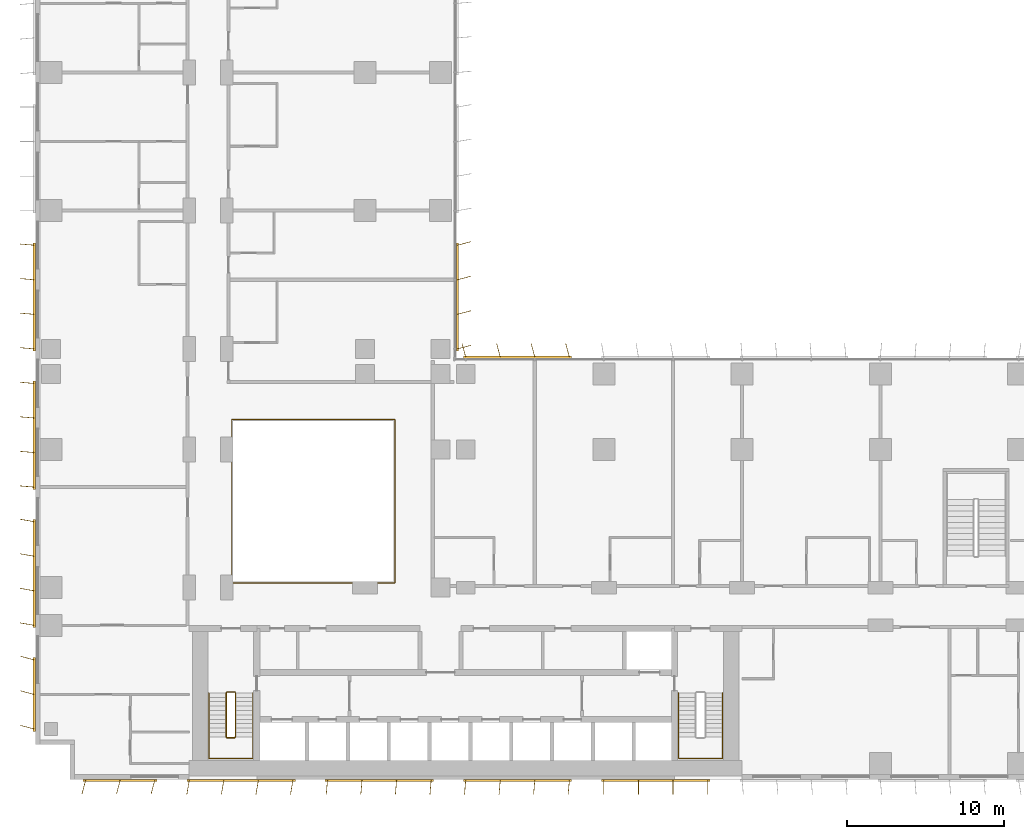
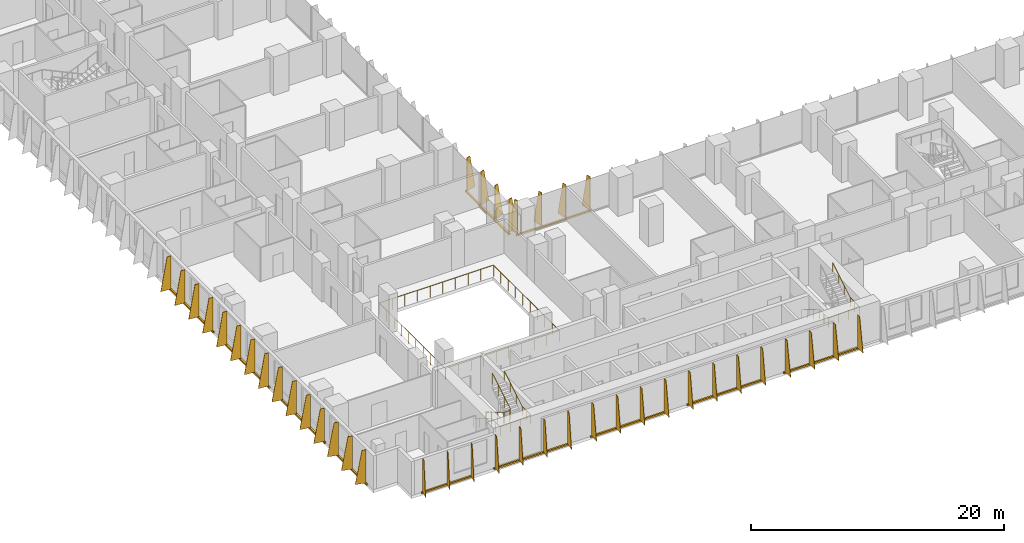
# One storey, part 21 of 24: 11 shading devices, 4 railings.
"""IFC4 building model written with IfcOpenShell, lengths in metres."""

from ifc_helpers import new_model, si_unit, direction, frame, origin, origin_2d, place, context, subcontext, project, spatial, polyline, rectangle, circle, outline, extrude, source, transform, mapped, material, layer, layer_set, type_object, element, save


model = new_model("IFC4")

# Units and contexts
model_context = context("Model", 3, precision=1e-05, world=origin(), true_north=direction((0.0, 1.0)))
body_context = subcontext(model_context, "Body", "Model", "MODEL_VIEW")
ifc_project = project(units=[si_unit("LENGTHUNIT", "METRE"), si_unit("AREAUNIT", "SQUARE_METRE"), si_unit("VOLUMEUNIT", "CUBIC_METRE"), si_unit("PLANEANGLEUNIT", "RADIAN"), si_unit("MASSUNIT", "GRAM", prefix="KILO")], contexts=[model_context])

# Site, building, storey
site_placement = place(None, origin())
site = spatial("IfcSite", under=ifc_project, at=site_placement, CompositionType="ELEMENT")
building_placement = place(site_placement, origin())
building = spatial("IfcBuilding", under=site, at=building_placement, Name="Kemantara Hotel Tower", CompositionType="ELEMENT")
storey_placement = place(building_placement, frame((0.0, 0.0, 79.699951171875)))
storey = spatial("IfcBuildingStorey", under=building, at=storey_placement, Name="L18", CompositionType="ELEMENT", Elevation=79.699951171875)

# Railings
ifc_material_1 = material(Name="Stainless steel and laminated glass balustrade", Category="steel")
railing_type_1 = type_object("IfcRailingType", Name="ATRIUM GUARD 1100", PredefinedType="GUARDRAIL", material=ifc_material_1)
railing_1_placement = place(storey_placement, frame((12.56005859375, 12.5, 0.0)))
element("IfcRailing", 1, at=railing_1_placement, inside=storey, type_object=railing_type_1, Name="ATRIUM GUARD L18", PredefinedType="GUARDRAIL", context=body_context, shape_type="SweptSolid", body=[
    extrude(circle(Radius=0.02490234375, at=origin_2d()), frame((0.0, 0.0, 1.0751953125), z_axis=(1.0, 0.0, 0.0), x_axis=(0.0, 1.0, 0.0)), (0.0, 0.0, 1.0), 10.33984375),
    extrude(circle(Radius=0.02490234375, at=origin_2d()), frame((10.33984375, 0.0, 1.0751953125), z_axis=(0.0, 1.0, 0.0), x_axis=(-1.0, 0.0, 0.0)), (0.0, 0.0, 1.0), 10.39990234375),
    extrude(circle(Radius=0.02490234375, at=origin_2d()), frame((10.33984375, 10.39990234375, 1.0751953125), z_axis=(-1.0, 0.0, 0.0), x_axis=(0.0, -1.0, 0.0)), (0.0, 0.0, 1.0), 10.39990234375),
    extrude(circle(Radius=0.02490234375, at=origin_2d()), frame((-0.06005859375, 10.39990234375, 1.0751953125), z_axis=(0.0, -1.0, 0.0), x_axis=(1.0, 0.0, 0.0)), (0.0, 0.0, 1.0), 10.39990234375),
    extrude(circle(Radius=0.02001953125, at=origin_2d()), origin(), (0.0, 0.0, 1.0), 1.050048828125),
    extrude(circle(Radius=0.02001953125, at=origin_2d()), frame((1.14892578125, 0.0, 0.0)), (0.0, 0.0, 1.0), 1.050048828125),
    extrude(circle(Radius=0.02001953125, at=origin_2d()), frame((2.2978515625, 0.0, 0.0)), (0.0, 0.0, 1.0), 1.050048828125),
    extrude(circle(Radius=0.02001953125, at=origin_2d()), frame((3.446533203125, 0.0, 0.0)), (0.0, 0.0, 1.0), 1.050048828125),
    extrude(circle(Radius=0.02001953125, at=origin_2d()), frame((4.595458984375, 0.0, 0.0)), (0.0, 0.0, 1.0), 1.050048828125),
    extrude(circle(Radius=0.02001953125, at=origin_2d()), frame((5.744384765625, 0.0, 0.0)), (0.0, 0.0, 1.0), 1.050048828125),
    extrude(circle(Radius=0.02001953125, at=origin_2d()), frame((6.893310546875, 0.0, 0.0)), (0.0, 0.0, 1.0), 1.050048828125),
    extrude(circle(Radius=0.02001953125, at=origin_2d()), frame((8.0419921875, 0.0, 0.0)), (0.0, 0.0, 1.0), 1.050048828125),
    extrude(circle(Radius=0.02001953125, at=origin_2d()), frame((9.19091796875, 0.0, 0.0)), (0.0, 0.0, 1.0), 1.050048828125),
    extrude(circle(Radius=0.02001953125, at=origin_2d()), frame((10.33984375, 0.0, 0.0)), (0.0, 0.0, 1.0), 1.050048828125),
    extrude(circle(Radius=0.02001953125, at=origin_2d()), frame((10.33984375, 1.155517578125, 0.0)), (0.0, 0.0, 1.0), 1.050048828125),
    extrude(circle(Radius=0.02001953125, at=origin_2d()), frame((10.33984375, 2.31103515625, 0.0)), (0.0, 0.0, 1.0), 1.050048828125),
    extrude(circle(Radius=0.02001953125, at=origin_2d()), frame((10.33984375, 3.466552734375, 0.0)), (0.0, 0.0, 1.0), 1.050048828125),
    extrude(circle(Radius=0.02001953125, at=origin_2d()), frame((10.33984375, 4.6220703125, 0.0)), (0.0, 0.0, 1.0), 1.050048828125),
    extrude(circle(Radius=0.02001953125, at=origin_2d()), frame((10.33984375, 5.77783203125, 0.0)), (0.0, 0.0, 1.0), 1.050048828125),
    extrude(circle(Radius=0.02001953125, at=origin_2d()), frame((10.33984375, 6.933349609375, 0.0)), (0.0, 0.0, 1.0), 1.050048828125),
    extrude(circle(Radius=0.02001953125, at=origin_2d()), frame((10.33984375, 8.0888671875, 0.0)), (0.0, 0.0, 1.0), 1.050048828125),
    extrude(circle(Radius=0.02001953125, at=origin_2d()), frame((10.33984375, 9.244384765625, 0.0)), (0.0, 0.0, 1.0), 1.050048828125),
    extrude(circle(Radius=0.02001953125, at=origin_2d()), frame((10.33984375, 10.39990234375, 0.0)), (0.0, 0.0, 1.0), 1.050048828125),
    extrude(circle(Radius=0.02001953125, at=origin_2d()), frame((9.184326171875, 10.39990234375, 0.0)), (0.0, 0.0, 1.0), 1.050048828125),
    extrude(circle(Radius=0.02001953125, at=origin_2d()), frame((8.02880859375, 10.39990234375, 0.0)), (0.0, 0.0, 1.0), 1.050048828125),
    extrude(circle(Radius=0.02001953125, at=origin_2d()), frame((6.873291015625, 10.39990234375, 0.0)), (0.0, 0.0, 1.0), 1.050048828125),
    extrude(circle(Radius=0.02001953125, at=origin_2d()), frame((5.7177734375, 10.39990234375, 0.0)), (0.0, 0.0, 1.0), 1.050048828125),
    extrude(circle(Radius=0.02001953125, at=origin_2d()), frame((4.56201171875, 10.39990234375, 0.0)), (0.0, 0.0, 1.0), 1.050048828125),
    extrude(circle(Radius=0.02001953125, at=origin_2d()), frame((3.406494140625, 10.39990234375, 0.0)), (0.0, 0.0, 1.0), 1.050048828125),
    extrude(circle(Radius=0.02001953125, at=origin_2d()), frame((2.2509765625, 10.39990234375, 0.0)), (0.0, 0.0, 1.0), 1.050048828125),
    extrude(circle(Radius=0.02001953125, at=origin_2d()), frame((1.095458984375, 10.39990234375, 0.0)), (0.0, 0.0, 1.0), 1.050048828125),
    extrude(circle(Radius=0.02001953125, at=origin_2d()), frame((-0.06005859375, 10.39990234375, 0.0)), (0.0, 0.0, 1.0), 1.050048828125),
    extrude(circle(Radius=0.02001953125, at=origin_2d()), frame((-0.06005859375, 9.244384765625, 0.0)), (0.0, 0.0, 1.0), 1.050048828125),
    extrude(circle(Radius=0.02001953125, at=origin_2d()), frame((-0.06005859375, 8.0888671875, 0.0)), (0.0, 0.0, 1.0), 1.050048828125),
    extrude(circle(Radius=0.02001953125, at=origin_2d()), frame((-0.06005859375, 6.933349609375, 0.0)), (0.0, 0.0, 1.0), 1.050048828125),
    extrude(circle(Radius=0.02001953125, at=origin_2d()), frame((-0.06005859375, 5.77783203125, 0.0)), (0.0, 0.0, 1.0), 1.050048828125),
    extrude(circle(Radius=0.02001953125, at=origin_2d()), frame((-0.06005859375, 4.6220703125, 0.0)), (0.0, 0.0, 1.0), 1.050048828125),
    extrude(circle(Radius=0.02001953125, at=origin_2d()), frame((-0.06005859375, 3.466552734375, 0.0)), (0.0, 0.0, 1.0), 1.050048828125),
    extrude(circle(Radius=0.02001953125, at=origin_2d()), frame((-0.06005859375, 2.31103515625, 0.0)), (0.0, 0.0, 1.0), 1.050048828125),
    extrude(circle(Radius=0.02001953125, at=origin_2d()), frame((-0.06005859375, 1.155517578125, 0.0)), (0.0, 0.0, 1.0), 1.050048828125),
    extrude(circle(Radius=0.02001953125, at=origin_2d()), frame((-0.06005859375, 0.0, 0.0)), (0.0, 0.0, 1.0), 1.050048828125),
])
ifc_material_2 = material(Name="Stainless steel balustrade", Category="steel")
railing_type_2 = type_object("IfcRailingType", Name="Stair guard 1100 mm", PredefinedType="GUARDRAIL", material=ifc_material_2)
railing_2_placement = place(storey_placement, frame((12.75, 5.5, 3.699951171875)))
element("IfcRailing", 2, at=railing_2_placement, inside=storey, type_object=railing_type_2, Name="L18 ST1 stair guard 1", PredefinedType="GUARDRAIL", context=body_context, shape_type="SweptSolid", body=[
    extrude(circle(Radius=0.02392578125, at=origin_2d()), frame((0.0, 0.0, 1.076171875), z_axis=(0.0, -0.857275202839, -0.514858452973), x_axis=(1.0, 0.0, 0.0)), (0.0, 0.0, 1.0), 3.26611328125),
    extrude(circle(Radius=0.02392578125, at=origin_2d()), frame((0.0, -2.800048828125, -0.60546875), z_axis=(-0.274243871929, -0.274243871929, -0.92172696468), x_axis=(0.707106781187, -0.707106781187, 0.0)), (0.0, 0.0, 1.0), 0.1826171875),
    extrude(circle(Radius=0.02392578125, at=origin_2d()), frame((-0.050048828125, -2.85009765625, -0.77392578125), z_axis=(-1.0, 0.0, 0.0), x_axis=(0.0, -1.0, 0.0)), (0.0, 0.0, 1.0), 0.5),
    extrude(circle(Radius=0.02392578125, at=origin_2d()), frame((-0.550048828125, -2.85009765625, -0.77392578125), z_axis=(-0.707106781187, 0.707106781187, 0.0), x_axis=(-0.707106781187, -0.707106781187, 0.0)), (0.0, 0.0, 1.0), 0.07080078125),
    extrude(circle(Radius=0.02392578125, at=origin_2d()), frame((-0.60009765625, -2.800048828125, -0.77392578125), z_axis=(0.0, 0.857242210791, -0.514913383045), x_axis=(-1.0, 0.0, 0.0)), (0.0, 0.0, 1.0), 3.266357421875),
    extrude(circle(Radius=0.02392578125, at=origin_2d()), frame((-0.60009765625, 0.0, -2.45556640625), z_axis=(0.274243871929, 0.274243871929, -0.92172696468), x_axis=(-0.707106781187, 0.707106781187, 0.0)), (0.0, 0.0, 1.0), 0.1826171875),
    extrude(circle(Radius=0.02392578125, at=origin_2d()), frame((-0.550048828125, 0.050048828125, -2.6240234375), z_axis=(1.0, 0.0, 0.0), x_axis=(0.0, 1.0, 0.0)), (0.0, 0.0, 1.0), 0.5),
    extrude(circle(Radius=0.02099609375, at=origin_2d()), origin(), (0.0, 0.0, 1.0), 1.052001953125),
    extrude(circle(Radius=0.02099609375, at=origin_2d()), frame((0.0, -0.933349609375, -0.560546875)), (0.0, 0.0, 1.0), 1.052001953125),
    extrude(circle(Radius=0.02099609375, at=origin_2d()), frame((0.0, -1.86669921875, -1.12109375)), (0.0, 0.0, 1.0), 1.052001953125),
    extrude(circle(Radius=0.02099609375, at=origin_2d()), frame((0.0, -2.800048828125, -1.681640625)), (0.0, 0.0, 1.0), 1.052001953125),
    extrude(circle(Radius=0.02099609375, at=origin_2d()), frame((-0.050048828125, -2.85009765625, -1.849853515625)), (0.0, 0.0, 1.0), 1.052001953125),
    extrude(circle(Radius=0.02099609375, at=origin_2d()), frame((-0.550048828125, -2.85009765625, -1.849853515625)), (0.0, 0.0, 1.0), 1.052001953125),
    extrude(circle(Radius=0.02099609375, at=origin_2d()), frame((-0.60009765625, -2.800048828125, -1.849853515625)), (0.0, 0.0, 1.0), 1.052001953125),
    extrude(circle(Radius=0.02099609375, at=origin_2d()), frame((-0.60009765625, -1.86669921875, -2.410400390625)), (0.0, 0.0, 1.0), 1.052001953125),
    extrude(circle(Radius=0.02099609375, at=origin_2d()), frame((-0.60009765625, -0.933349609375, -2.97119140625)), (0.0, 0.0, 1.0), 1.052001953125),
    extrude(circle(Radius=0.02099609375, at=origin_2d()), frame((-0.60009765625, 0.0, -3.53173828125)), (0.0, 0.0, 1.0), 1.052001953125),
    extrude(circle(Radius=0.02099609375, at=origin_2d()), frame((-0.550048828125, 0.050048828125, -3.699951171875)), (0.0, 0.0, 1.0), 1.052001953125),
    extrude(circle(Radius=0.02099609375, at=origin_2d()), frame((-0.050048828125, 0.050048828125, -3.699951171875)), (0.0, 0.0, 1.0), 1.052001953125),
])
railing_type_3 = type_object("IfcRailingType", Name="Stair handrail 900 mm", PredefinedType="HANDRAIL", material=ifc_material_2)
railing_3_placement = place(storey_placement, frame((11.050048828125, 5.5, 0.168212890625)))
element("IfcRailing", 3, at=railing_3_placement, inside=storey, type_object=railing_type_3, Name="L18 ST1 stair handrail 1", PredefinedType="HANDRAIL", context=body_context, shape_type="SweptSolid", body=[
    extrude(circle(Radius=0.02392578125, at=origin_2d()), frame((0.0, 0.0, 0.8759765625), z_axis=(0.0, -0.857242210791, 0.514913383045), x_axis=(1.0, 0.0, 0.0)), (0.0, 0.0, 1.0), 3.266357421875),
    extrude(circle(Radius=0.02392578125, at=origin_2d()), frame((0.0, -2.800048828125, 2.5576171875), z_axis=(0.0, -1.0, 0.0), x_axis=(1.0, 0.0, 0.0)), (0.0, 0.0, 1.0), 1.3798828125),
    extrude(circle(Radius=0.02392578125, at=origin_2d()), frame((0.0, -4.179931640625, 2.5576171875), z_axis=(0.998200367801, 0.0, 0.059966871865), x_axis=(0.0, 1.0, 0.0)), (0.0, 0.0, 1.0), 2.80517578125),
    extrude(circle(Radius=0.02392578125, at=origin_2d()), frame((2.800048828125, -4.179931640625, 2.72607421875), z_axis=(0.0, 1.0, 0.0), x_axis=(-1.0, 0.0, 0.0)), (0.0, 0.0, 1.0), 1.3798828125),
    extrude(circle(Radius=0.02392578125, at=origin_2d()), frame((2.800048828125, -2.800048828125, 2.72607421875), z_axis=(0.0, 0.857275202839, 0.514858452973), x_axis=(-1.0, 0.0, 0.0)), (0.0, 0.0, 1.0), 3.26611328125),
    extrude(circle(Radius=0.02099609375, at=origin_2d()), origin(), (0.0, 0.0, 1.0), 0.851806640625),
    extrude(circle(Radius=0.02099609375, at=origin_2d()), frame((0.0, -0.933349609375, 0.560546875)), (0.0, 0.0, 1.0), 0.851806640625),
    extrude(circle(Radius=0.02099609375, at=origin_2d()), frame((0.0, -1.86669921875, 1.121337890625)), (0.0, 0.0, 1.0), 0.851806640625),
    extrude(circle(Radius=0.02099609375, at=origin_2d()), frame((0.0, -2.800048828125, 1.681884765625)), (0.0, 0.0, 1.0), 0.851806640625),
    extrude(circle(Radius=0.02099609375, at=origin_2d()), frame((0.0, -3.489990234375, 1.681884765625)), (0.0, 0.0, 1.0), 0.851806640625),
    extrude(circle(Radius=0.02099609375, at=origin_2d()), frame((0.0, -4.179931640625, 1.681884765625)), (0.0, 0.0, 1.0), 0.851806640625),
    extrude(circle(Radius=0.02099609375, at=origin_2d()), frame((0.933349609375, -4.179931640625, 1.738037109375)), (0.0, 0.0, 1.0), 0.851806640625),
    extrude(circle(Radius=0.02099609375, at=origin_2d()), frame((1.86669921875, -4.179931640625, 1.7939453125)), (0.0, 0.0, 1.0), 0.851806640625),
    extrude(circle(Radius=0.02099609375, at=origin_2d()), frame((2.800048828125, -4.179931640625, 1.85009765625)), (0.0, 0.0, 1.0), 0.851806640625),
    extrude(circle(Radius=0.02099609375, at=origin_2d()), frame((2.800048828125, -3.489990234375, 1.85009765625)), (0.0, 0.0, 1.0), 0.851806640625),
    extrude(circle(Radius=0.02099609375, at=origin_2d()), frame((2.800048828125, -2.800048828125, 1.85009765625)), (0.0, 0.0, 1.0), 0.851806640625),
    extrude(circle(Radius=0.02099609375, at=origin_2d()), frame((2.800048828125, -1.86669921875, 2.41064453125)), (0.0, 0.0, 1.0), 0.851806640625),
    extrude(circle(Radius=0.02099609375, at=origin_2d()), frame((2.800048828125, -0.933349609375, 2.97119140625)), (0.0, 0.0, 1.0), 0.851806640625),
    extrude(circle(Radius=0.02099609375, at=origin_2d()), frame((2.800048828125, 0.0, 3.53173828125)), (0.0, 0.0, 1.0), 0.851806640625),
])
railing_4_placement = place(storey_placement, frame((40.949951171875, 5.5, 0.168212890625)))
element("IfcRailing", 4, at=railing_4_placement, inside=storey, type_object=railing_type_3, Name="L18 ST2 stair handrail 1", PredefinedType="HANDRAIL", context=body_context, shape_type="SweptSolid", body=[
    extrude(circle(Radius=0.02392578125, at=origin_2d()), frame((0.0, 0.0, 0.8759765625), z_axis=(0.0, -0.857242210791, 0.514913383045), x_axis=(1.0, 0.0, 0.0)), (0.0, 0.0, 1.0), 3.266357421875),
    extrude(circle(Radius=0.02392578125, at=origin_2d()), frame((0.0, -2.800048828125, 2.5576171875), z_axis=(0.0, -1.0, 0.0), x_axis=(1.0, 0.0, 0.0)), (0.0, 0.0, 1.0), 1.3798828125),
    extrude(circle(Radius=0.02392578125, at=origin_2d()), frame((0.0, -4.179931640625, 2.5576171875), z_axis=(0.998200367801, 0.0, 0.059966871865), x_axis=(0.0, 1.0, 0.0)), (0.0, 0.0, 1.0), 2.80517578125),
    extrude(circle(Radius=0.02392578125, at=origin_2d()), frame((2.800048828125, -4.179931640625, 2.72607421875), z_axis=(0.0, 1.0, 0.0), x_axis=(-1.0, 0.0, 0.0)), (0.0, 0.0, 1.0), 1.3798828125),
    extrude(circle(Radius=0.02392578125, at=origin_2d()), frame((2.800048828125, -2.800048828125, 2.72607421875), z_axis=(0.0, 0.857275202839, 0.514858452973), x_axis=(-1.0, 0.0, 0.0)), (0.0, 0.0, 1.0), 3.26611328125),
    extrude(circle(Radius=0.02099609375, at=origin_2d()), origin(), (0.0, 0.0, 1.0), 0.851806640625),
    extrude(circle(Radius=0.02099609375, at=origin_2d()), frame((0.0, -0.933349609375, 0.560546875)), (0.0, 0.0, 1.0), 0.851806640625),
    extrude(circle(Radius=0.02099609375, at=origin_2d()), frame((0.0, -1.86669921875, 1.121337890625)), (0.0, 0.0, 1.0), 0.851806640625),
    extrude(circle(Radius=0.02099609375, at=origin_2d()), frame((0.0, -2.800048828125, 1.681884765625)), (0.0, 0.0, 1.0), 0.851806640625),
    extrude(circle(Radius=0.02099609375, at=origin_2d()), frame((0.0, -3.489990234375, 1.681884765625)), (0.0, 0.0, 1.0), 0.851806640625),
    extrude(circle(Radius=0.02099609375, at=origin_2d()), frame((0.0, -4.179931640625, 1.681884765625)), (0.0, 0.0, 1.0), 0.851806640625),
    extrude(circle(Radius=0.02099609375, at=origin_2d()), frame((0.933349609375, -4.179931640625, 1.738037109375)), (0.0, 0.0, 1.0), 0.851806640625),
    extrude(circle(Radius=0.02099609375, at=origin_2d()), frame((1.86669921875, -4.179931640625, 1.7939453125)), (0.0, 0.0, 1.0), 0.851806640625),
    extrude(circle(Radius=0.02099609375, at=origin_2d()), frame((2.800048828125, -4.179931640625, 1.85009765625)), (0.0, 0.0, 1.0), 0.851806640625),
    extrude(circle(Radius=0.02099609375, at=origin_2d()), frame((2.800048828125, -3.489990234375, 1.85009765625)), (0.0, 0.0, 1.0), 0.851806640625),
    extrude(circle(Radius=0.02099609375, at=origin_2d()), frame((2.800048828125, -2.800048828125, 1.85009765625)), (0.0, 0.0, 1.0), 0.851806640625),
    extrude(circle(Radius=0.02099609375, at=origin_2d()), frame((2.800048828125, -1.86669921875, 2.41064453125)), (0.0, 0.0, 1.0), 0.851806640625),
    extrude(circle(Radius=0.02099609375, at=origin_2d()), frame((2.800048828125, -0.933349609375, 2.97119140625)), (0.0, 0.0, 1.0), 0.851806640625),
    extrude(circle(Radius=0.02099609375, at=origin_2d()), frame((2.800048828125, 0.0, 3.53173828125)), (0.0, 0.0, 1.0), 0.851806640625),
])

# Shading devices
ifc_material_3 = material(Name="Perforated aluminium plate 4 mm bronze anodised", Category="aluminium")
ifc_layer_1 = layer(ifc_material_3, 0.0400390625)
ifc_layer_set_1 = layer_set([ifc_layer_1], Name="Perforated aluminium plate 4 mm bronze anodised")
shading_device_type_1 = type_object("IfcShadingDeviceType", Name="SCREEN FIN CASSETTE, 3 BLADES AT -15.0 DEG, 3200 HIGH", PredefinedType="USERDEFINED", material=ifc_layer_set_1)
shared_shape_1 = source(origin(), body_context, "Body", "SweptSolid", [
    extrude(rectangle(XDim=4.699951171875, YDim=0.14990234375, at=origin_2d()), frame((2.199951171875, -0.074951171875, -0.14990234375), z_axis=(0.0, 0.0, 1.0), x_axis=(1.0, 0.0, 0.0)), (0.0, 0.0, 1.0), 0.14990234375),
    extrude(outline(polyline([(0.0, 0.0), (0.89990234375, 0.0), (0.35009765625, 3.199951171875), (0.0, 3.199951171875), (0.0, 0.0)])), frame((0.019287109375, -0.080078125, 0.0), z_axis=(-0.966437683387, 0.256901156343, 0.0), x_axis=(-0.256901156343, -0.966437683387, 0.0)), (0.0, 0.0, 1.0), 0.039794921875),
    extrude(outline(polyline([(0.0, 0.0), (0.89990234375, 0.0), (0.35009765625, 3.199951171875), (0.0, 3.199951171875), (0.0, 0.0)])), frame((2.21923828125, -0.080078125, 0.0), z_axis=(-0.966437683387, 0.256901156343, 0.0), x_axis=(-0.256901156343, -0.966437683387, 0.0)), (0.0, 0.0, 1.0), 0.039794921875),
    extrude(outline(polyline([(0.0, 0.0), (0.89990234375, 0.0), (0.35009765625, 3.199951171875), (0.0, 3.199951171875), (0.0, 0.0)])), frame((4.41943359375, -0.080078125, 0.0), z_axis=(-0.966837822169, 0.255391122837, 0.0), x_axis=(-0.255391122837, -0.966837822169, 0.0)), (0.0, 0.0, 1.0), 0.0400390625),
])
for number, where, z_axis, x_axis, name in (
    (5, (3.199951171875, 0.0, 0.10009765625), (0.0, 0.0, 1.0), (1.0, 0.0, 0.0), "SCREEN FIN CASSETTE L18 T1-R01-1"),
    (6, (0.0, 7.60009765625, 0.10009765625), (0.0, 0.0, 1.0), (0.0, -1.0, 0.0), "SCREEN FIN CASSETTE L18 T1-R14-9"),
):
    element("IfcShadingDevice", number, at=place(storey_placement, frame(where, z_axis=z_axis, x_axis=x_axis)), inside=storey, type_object=shading_device_type_1, Name=name, ObjectType="SCREEN FIN", PredefinedType="USERDEFINED", context=body_context, shape_type="MappedRepresentation", body=[
        mapped(shared_shape_1, transform((0.0, 0.0, 0.0))),
    ])
ifc_layer_2 = layer(ifc_material_3, 0.0400390625)
ifc_layer_set_2 = layer_set([ifc_layer_2], Name="Perforated aluminium plate 4 mm bronze anodised")
shading_device_type_2 = type_object("IfcShadingDeviceType", Name="SCREEN FIN CASSETTE, 4 BLADES AT -10.0 DEG, 3200 HIGH", PredefinedType="USERDEFINED", material=ifc_layer_set_2)
shared_shape_2 = source(origin(), body_context, "Body", "SweptSolid", [
    extrude(rectangle(XDim=6.89990234375, YDim=0.14990234375, at=origin_2d()), frame((3.300048828125, -0.074951171875, -0.14990234375), z_axis=(0.0, 0.0, 1.0), x_axis=(1.0, 0.0, 0.0)), (0.0, 0.0, 1.0), 0.14990234375),
    extrude(outline(polyline([(0.0, 0.0), (0.89990234375, 0.0), (0.35009765625, 3.199951171875), (0.0, 3.199951171875), (0.0, 0.0)])), frame((0.019775390625, -0.078369140625, 0.0), z_axis=(-0.985389793052, 0.170314285219, 0.0), x_axis=(-0.170314285219, -0.985389793052, 0.0)), (0.0, 0.0, 1.0), 0.0400390625),
    extrude(outline(polyline([(0.0, 0.0), (0.89990234375, 0.0), (0.35009765625, 3.199951171875), (0.0, 3.199951171875), (0.0, 0.0)])), frame((2.2197265625, -0.078369140625, 0.0), z_axis=(-0.98521175482, 0.171341174751, 0.0), x_axis=(-0.171341174751, -0.98521175482, 0.0)), (0.0, 0.0, 1.0), 0.039794921875),
    extrude(outline(polyline([(0.0, 0.0), (0.89990234375, 0.0), (0.35009765625, 3.199951171875), (0.0, 3.199951171875), (0.0, 0.0)])), frame((4.419677734375, -0.078369140625, 0.0), z_axis=(-0.98521175482, 0.171341174751, 0.0), x_axis=(-0.171341174751, -0.98521175482, 0.0)), (0.0, 0.0, 1.0), 0.039794921875),
    extrude(outline(polyline([(0.0, 0.0), (0.89990234375, 0.0), (0.35009765625, 3.199951171875), (0.0, 3.199951171875), (0.0, 0.0)])), frame((6.61962890625, -0.078369140625, 0.0), z_axis=(-0.98521175482, 0.171341174751, 0.0), x_axis=(-0.171341174751, -0.98521175482, 0.0)), (0.0, 0.0, 1.0), 0.039794921875),
])
for number, where, z_axis, x_axis, name in (
    (7, (9.800048828125, 0.0, 0.10009765625), (0.0, 0.0, 1.0), (1.0, 0.0, 0.0), "SCREEN FIN CASSETTE L18 T1-R01-2"),
    (8, (0.0, 16.39990234375, 0.10009765625), (0.0, 0.0, 1.0), (0.0, -1.0, 0.0), "SCREEN FIN CASSETTE L18 T1-R14-8"),
):
    element("IfcShadingDevice", number, at=place(storey_placement, frame(where, z_axis=z_axis, x_axis=x_axis)), inside=storey, type_object=shading_device_type_2, Name=name, ObjectType="SCREEN FIN", PredefinedType="USERDEFINED", context=body_context, shape_type="MappedRepresentation", body=[
        mapped(shared_shape_2, transform((0.0, 0.0, 0.0))),
    ])
ifc_layer_3 = layer(ifc_material_3, 0.0400390625)
ifc_layer_set_3 = layer_set([ifc_layer_3], Name="Perforated aluminium plate 4 mm bronze anodised")
shading_device_type_3 = type_object("IfcShadingDeviceType", Name="SCREEN FIN CASSETTE, 4 BLADES AT -5.0 DEG, 3200 HIGH", PredefinedType="USERDEFINED", material=ifc_layer_set_3)
shared_shape_3 = source(origin(), body_context, "Body", "SweptSolid", [
    extrude(rectangle(XDim=6.89990234375, YDim=0.14990234375, at=origin_2d()), frame((3.300048828125, -0.074951171875, -0.14990234375), z_axis=(0.0, 0.0, 1.0), x_axis=(1.0, 0.0, 0.0)), (0.0, 0.0, 1.0), 0.14990234375),
    extrude(outline(polyline([(0.0, 0.0), (0.89990234375, 0.0), (0.35009765625, 3.199951171875), (0.0, 3.199951171875), (0.0, 0.0)])), frame((0.02001953125, -0.07666015625, 0.0), z_axis=(-0.996376129781, 0.085056498884, 0.0), x_axis=(-0.085056498884, -0.996376129781, 0.0)), (0.0, 0.0, 1.0), 0.040283203125),
    extrude(outline(polyline([(0.0, 0.0), (0.89990234375, 0.0), (0.35009765625, 3.199951171875), (0.0, 3.199951171875), (0.0, 0.0)])), frame((2.219970703125, -0.07666015625, 0.0), z_axis=(-0.996331773833, 0.085574508182, 0.0), x_axis=(-0.085574508182, -0.996331773833, 0.0)), (0.0, 0.0, 1.0), 0.0400390625),
    extrude(outline(polyline([(0.0, 0.0), (0.89990234375, 0.0), (0.35009765625, 3.199951171875), (0.0, 3.199951171875), (0.0, 0.0)])), frame((4.419921875, -0.07666015625, 0.0), z_axis=(-0.996331773833, 0.085574508182, 0.0), x_axis=(-0.085574508182, -0.996331773833, 0.0)), (0.0, 0.0, 1.0), 0.0400390625),
    extrude(outline(polyline([(0.0, 0.0), (0.89990234375, 0.0), (0.35009765625, 3.199951171875), (0.0, 3.199951171875), (0.0, 0.0)])), frame((6.619873046875, -0.07666015625, 0.0), z_axis=(-0.996331773833, 0.085574508182, 0.0), x_axis=(-0.085574508182, -0.996331773833, 0.0)), (0.0, 0.0, 1.0), 0.0400390625),
])
for number, where, z_axis, x_axis, name in (
    (9, (18.60009765625, 0.0, 0.10009765625), (0.0, 0.0, 1.0), (1.0, 0.0, 0.0), "SCREEN FIN CASSETTE L18 T1-R01-3"),
    (10, (27.39990234375, 0.0, 0.10009765625), (0.0, 0.0, 1.0), (1.0, 0.0, 0.0), "SCREEN FIN CASSETTE L18 T1-R01-4"),
    (11, (0.0, 34.0, 0.10009765625), (0.0, 0.0, 1.0), (0.0, -1.0, 0.0), "SCREEN FIN CASSETTE L18 T1-R14-6"),
    (12, (0.0, 25.199951171875, 0.10009765625), (0.0, 0.0, 1.0), (0.0, -1.0, 0.0), "SCREEN FIN CASSETTE L18 T1-R14-7"),
):
    element("IfcShadingDevice", number, at=place(storey_placement, frame(where, z_axis=z_axis, x_axis=x_axis)), inside=storey, type_object=shading_device_type_3, Name=name, ObjectType="SCREEN FIN", PredefinedType="USERDEFINED", context=body_context, shape_type="MappedRepresentation", body=[
        mapped(shared_shape_3, transform((0.0, 0.0, 0.0))),
    ])
ifc_layer_4 = layer(ifc_material_3, 0.0400390625)
ifc_layer_set_4 = layer_set([ifc_layer_4], Name="Perforated aluminium plate 4 mm bronze anodised")
shading_device_type_4 = type_object("IfcShadingDeviceType", Name="SCREEN FIN CASSETTE, 4 BLADES AT +0.0 DEG, 3200 HIGH", PredefinedType="USERDEFINED", material=ifc_layer_set_4)
shared_shape_4 = source(origin(), body_context, "Body", "SweptSolid", [
    extrude(rectangle(XDim=6.89990234375, YDim=0.14990234375, at=origin_2d()), frame((3.300048828125, -0.074951171875, -0.14990234375), z_axis=(0.0, 0.0, 1.0), x_axis=(1.0, 0.0, 0.0)), (0.0, 0.0, 1.0), 0.14990234375),
    extrude(outline(polyline([(0.0, 0.0), (0.89990234375, 0.0), (0.35009765625, 3.199951171875), (0.0, 3.199951171875), (0.0, 0.0)])), frame((0.02001953125, -0.074951171875, 0.0), z_axis=(-1.0, 0.0, 0.0), x_axis=(0.0, -1.0, 0.0)), (0.0, 0.0, 1.0), 0.0400390625),
    extrude(outline(polyline([(0.0, 0.0), (0.89990234375, 0.0), (0.35009765625, 3.199951171875), (0.0, 3.199951171875), (0.0, 0.0)])), frame((2.219970703125, -0.074951171875, 0.0), z_axis=(-1.0, 0.0, 0.0), x_axis=(0.0, -1.0, 0.0)), (0.0, 0.0, 1.0), 0.0400390625),
    extrude(outline(polyline([(0.0, 0.0), (0.89990234375, 0.0), (0.35009765625, 3.199951171875), (0.0, 3.199951171875), (0.0, 0.0)])), frame((4.419921875, -0.074951171875, 0.0), z_axis=(-1.0, 0.0, 0.0), x_axis=(0.0, -1.0, 0.0)), (0.0, 0.0, 1.0), 0.0400390625),
    extrude(outline(polyline([(0.0, 0.0), (0.89990234375, 0.0), (0.35009765625, 3.199951171875), (0.0, 3.199951171875), (0.0, 0.0)])), frame((6.6201171875, -0.074951171875, 0.0), z_axis=(-1.0, 0.0, 0.0), x_axis=(0.0, -1.0, 0.0)), (0.0, 0.0, 1.0), 0.0400390625),
])
shading_device_placement = place(storey_placement, frame((36.199951171875, 0.0, 0.10009765625), z_axis=(0.0, 0.0, 1.0), x_axis=(1.0, 0.0, 0.0)))
element("IfcShadingDevice", 13, at=shading_device_placement, inside=storey, type_object=shading_device_type_4, Name="SCREEN FIN CASSETTE L18 T1-R01-5", ObjectType="SCREEN FIN", PredefinedType="USERDEFINED", context=body_context, shape_type="MappedRepresentation", body=[
    mapped(shared_shape_4, transform((0.0, 0.0, 0.0))),
])
ifc_layer_5 = layer(ifc_material_3, 0.0400390625)
ifc_layer_set_5 = layer_set([ifc_layer_5], Name="Perforated aluminium plate 4 mm bronze anodised")
shading_device_type_5 = type_object("IfcShadingDeviceType", Name="SCREEN FIN CASSETTE, 4 BLADES AT +15.0 DEG, 3200 HIGH", PredefinedType="USERDEFINED", material=ifc_layer_set_5)
shared_shape_5 = source(origin(), body_context, "Body", "SweptSolid", [
    extrude(rectangle(XDim=6.89990234375, YDim=0.14990234375, at=origin_2d()), frame((3.300048828125, -0.074951171875, -0.14990234375), z_axis=(0.0, 0.0, 1.0), x_axis=(1.0, 0.0, 0.0)), (0.0, 0.0, 1.0), 0.14990234375),
    extrude(outline(polyline([(0.0, 0.0), (0.89990234375, 0.0), (0.35009765625, 3.199951171875), (0.0, 3.199951171875), (0.0, 0.0)])), frame((0.019287109375, -0.06982421875, 0.0), z_axis=(-0.966437683387, -0.256901156343, 0.0), x_axis=(0.256901156343, -0.966437683387, 0.0)), (0.0, 0.0, 1.0), 0.039794921875),
    extrude(outline(polyline([(0.0, 0.0), (0.89990234375, 0.0), (0.35009765625, 3.199951171875), (0.0, 3.199951171875), (0.0, 0.0)])), frame((2.21923828125, -0.06982421875, 0.0), z_axis=(-0.966437683387, -0.256901156343, 0.0), x_axis=(0.256901156343, -0.966437683387, 0.0)), (0.0, 0.0, 1.0), 0.039794921875),
    extrude(outline(polyline([(0.0, 0.0), (0.89990234375, 0.0), (0.35009765625, 3.199951171875), (0.0, 3.199951171875), (0.0, 0.0)])), frame((4.41943359375, -0.06982421875, 0.0), z_axis=(-0.966837822169, -0.255391122837, 0.0), x_axis=(0.255391122837, -0.966837822169, 0.0)), (0.0, 0.0, 1.0), 0.0400390625),
    extrude(outline(polyline([(0.0, 0.0), (0.89990234375, 0.0), (0.35009765625, 3.199951171875), (0.0, 3.199951171875), (0.0, 0.0)])), frame((6.619384765625, -0.06982421875, 0.0), z_axis=(-0.966837822169, -0.255391122837, 0.0), x_axis=(0.255391122837, -0.966837822169, 0.0)), (0.0, 0.0, 1.0), 0.0400390625),
])
for number, where, z_axis, x_axis, name in (
    (14, (34.0, 26.800048828125, 0.10009765625), (0.0, 0.0, 1.0), (-1.0, 0.0, 0.0), "SCREEN FIN CASSETTE L18 T1-R07-6"),
    (15, (26.800048828125, 27.39990234375, 0.10009765625), (0.0, 0.0, 1.0), (0.0, 1.0, 0.0), "SCREEN FIN CASSETTE L18 T1-R08-1"),
):
    element("IfcShadingDevice", number, at=place(storey_placement, frame(where, z_axis=z_axis, x_axis=x_axis)), inside=storey, type_object=shading_device_type_5, Name=name, ObjectType="SCREEN FIN", PredefinedType="USERDEFINED", context=body_context, shape_type="MappedRepresentation", body=[
        mapped(shared_shape_5, transform((0.0, 0.0, 0.0))),
    ])

save(model, "model.ifc")
